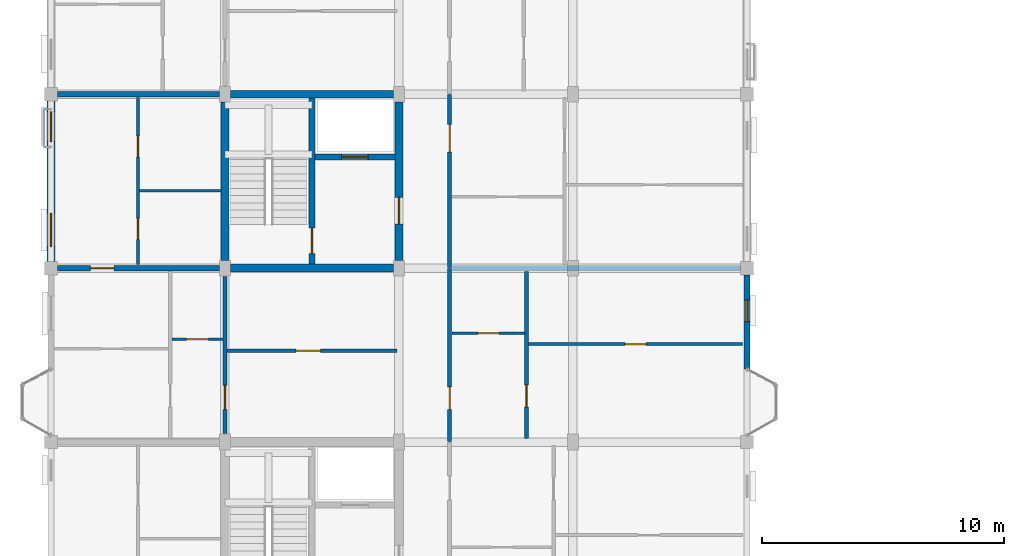
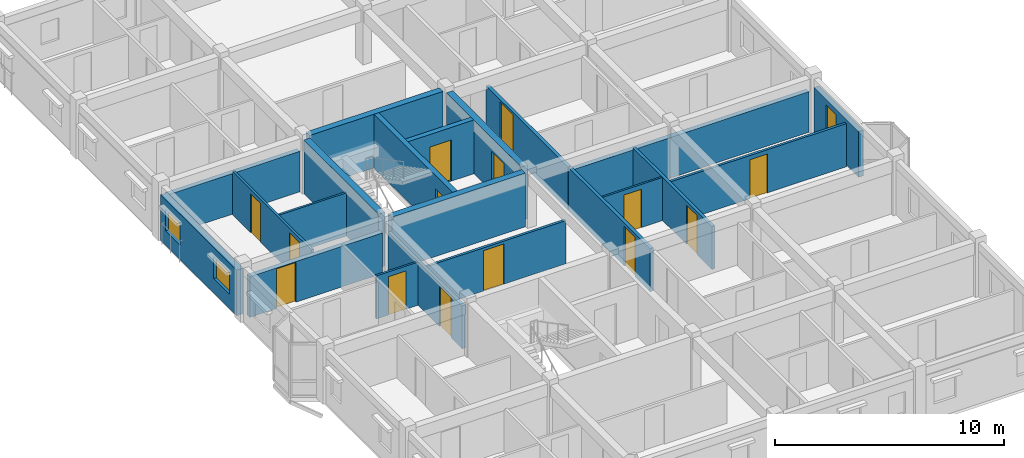
# One storey, part 52 of 79: 21 walls, 14 doors, 3 windows, 17 openings.
"""IFC4 building model written with IfcOpenShell, lengths in metres."""

from ifc_helpers import new_model, si_unit, direction, frame, frame_2d, origin, place, context, subcontext, project, spatial, rectangle, extrude, material, layer, layer_set, type_object, element, fill, save


model = new_model("IFC4")

# Units and contexts
model_context = context("Model", 3, precision=1e-05, world=origin(), true_north=direction((0.0, 1.0)))
body_context = subcontext(model_context, "Body", "Model", "MODEL_VIEW")
ifc_project = project(units=[si_unit("LENGTHUNIT", "METRE"), si_unit("AREAUNIT", "SQUARE_METRE"), si_unit("VOLUMEUNIT", "CUBIC_METRE"), si_unit("PLANEANGLEUNIT", "RADIAN"), si_unit("MASSUNIT", "GRAM", prefix="KILO"), si_unit("THERMODYNAMICTEMPERATUREUNIT", "KELVIN"), si_unit("POWERUNIT", "WATT")], contexts=[model_context])

# Site, building, storey
site_placement = place(None, origin())
site = spatial("IfcSite", under=ifc_project, at=site_placement, CompositionType="ELEMENT")
building_placement = place(site_placement, origin())
building = spatial("IfcBuilding", under=site, at=building_placement, Name="Tavuni Mirador Residences", CompositionType="ELEMENT")
storey_placement = place(building_placement, frame((0.0, 0.0, 13.949951171875)))
storey = spatial("IfcBuildingStorey", under=building, at=storey_placement, Name="L04", CompositionType="ELEMENT", Elevation=13.949951171875)

# Wall, opening, door
ifc_material_1 = material(Name="Precast concrete C40/50", Category="concrete")
ifc_layer_1 = layer(ifc_material_1, 0.25, Name="Precast concrete C40/50", Category="concrete")
ifc_layer_set_1 = layer_set([ifc_layer_1], Name="Precast concrete C40/50")
wall_type_1 = type_object("IfcWallType", Name="WT-COR250", PredefinedType="SHEAR", material=ifc_layer_set_1)
wall_1_placement = place(storey_placement, frame((14.39990234375, 28.9599609375, 0.0), z_axis=(0.0, 0.0, 1.0), x_axis=(0.0, 1.0, 0.0)))
wall_1 = element("IfcWall", 1, at=wall_1_placement, inside=storey, type_object=wall_type_1, Name="CWALL-C2-L04-MID", PredefinedType="SHEAR", context=body_context, shape_type="SweptSolid", body=[
    extrude(rectangle(XDim=6.880126953125, YDim=0.25, at=frame_2d((3.43994140625, 0.0))), origin(), (0.0, 0.0, 1.0), 2.8701171875),
])
opening_1_placement = place(wall_1_placement, frame((0.43994140625, 0.0, 0.0)))
opening_1 = element("IfcOpeningElement", 2, at=opening_1_placement, cuts=wall_1, Name="Opening D-01", PredefinedType="OPENING", context=body_context, shape_type="SweptSolid", body=[
    extrude(rectangle(XDim=1.050048828125, YDim=2.14990234375, at=frame_2d((0.52490234375, 1.074951171875))), frame((0.0, 0.135009765625, 0.0), z_axis=(0.0, -1.0, 0.0), x_axis=(1.0, 0.0, 0.0)), (0.0, 0.0, 1.0), 0.27001953125),
])
ifc_material_2 = material(Name="Solid core iroko timber", Category="wood")
door_type_1 = type_object("IfcDoorType", Name="DT-ST1050", OperationType="NOTDEFINED", PredefinedType="DOOR", material=ifc_material_2)
door_1_placement = place(opening_1_placement, origin())
door_1 = element("IfcDoor", 3, at=door_1_placement, inside=storey, type_object=door_type_1, Name="DR-2072", OperationType="SINGLE_SWING_RIGHT", OverallHeight=2.14990234375, OverallWidth=1.050048828125, PredefinedType="DOOR", context=body_context, shape_type="SweptSolid", body=[
    extrude(rectangle(XDim=1.050048828125, YDim=2.14990234375, at=frame_2d((0.52490234375, 1.074951171875))), frame((0.0, 0.02490234375, 0.0), z_axis=(0.0, -1.0, 0.0), x_axis=(1.0, 0.0, 0.0)), (0.0, 0.0, 1.0), 0.050048828125),
])
fill(opening_1, door_1)

wall_2_placement = place(storey_placement, frame((14.52490234375, 33.39990234375, 0.0), z_axis=(0.0, 0.0, 1.0), x_axis=(1.0, 0.0, 0.0)))
wall_2 = element("IfcWall", 4, at=wall_2_placement, inside=storey, type_object=wall_type_1, Name="CWALL-C2-L04-SHF", PredefinedType="SHEAR", context=body_context, shape_type="SweptSolid", body=[
    extrude(rectangle(XDim=3.315185546875, YDim=0.25, at=frame_2d((1.65771484375, 0.0))), origin(), (0.0, 0.0, 1.0), 2.8701171875),
])
opening_2_placement = place(wall_2_placement, frame((1.10009765625, 0.0, 0.0)))
opening_2 = element("IfcOpeningElement", 5, at=opening_2_placement, cuts=wall_2, Name="Opening LD-01", PredefinedType="OPENING", context=body_context, shape_type="SweptSolid", body=[
    extrude(rectangle(XDim=1.10009765625, YDim=2.199951171875, at=frame_2d((0.550048828125, 1.10009765625))), frame((0.0, 0.135009765625, 0.0), z_axis=(0.0, -1.0, 0.0), x_axis=(1.0, 0.0, 0.0)), (0.0, 0.0, 1.0), 0.27001953125),
])
ifc_material_3 = material(Name="Structural steel S355", Category="steel")
door_type_2 = type_object("IfcDoorType", Name="DT-LD-FF", OperationType="SLIDING_TO_LEFT", PredefinedType="DOOR", material=ifc_material_3)
door_2_placement = place(opening_2_placement, origin())
door_2 = element("IfcDoor", 6, at=door_2_placement, inside=storey, type_object=door_type_2, Name="Lift landing door FL-A2 L04", OperationType="SLIDING_TO_LEFT", OverallHeight=2.199951171875, OverallWidth=1.10009765625, PredefinedType="DOOR", context=body_context, shape_type="SweptSolid", body=[
    extrude(rectangle(XDim=1.10009765625, YDim=2.199951171875, at=frame_2d((0.550048828125, 1.10009765625))), frame((0.0, 0.02490234375, 0.0), z_axis=(0.0, -1.0, 0.0), x_axis=(1.0, 0.0, 0.0)), (0.0, 0.0, 1.0), 0.050048828125),
])
fill(opening_2, door_2)

# Walls
ifc_layer_2 = layer(ifc_material_1, 0.320068359375, Name="Precast concrete C40/50", Category="concrete")
ifc_layer_set_2 = layer_set([ifc_layer_2], Name="Precast concrete C40/50")
wall_type_2 = type_object("IfcWallType", Name="WT-COR320", PredefinedType="SHEAR", material=ifc_layer_set_2)
wall_3_placement = place(storey_placement, frame((10.800048828125, 29.125, 0.0), z_axis=(0.0, 0.0, 1.0), x_axis=(0.0, 1.0, 0.0)))
element("IfcWall", 7, at=wall_3_placement, inside=storey, type_object=wall_type_2, Name="CWALL-C2-L04-W", PredefinedType="SHEAR", context=body_context, shape_type="SweptSolid", body=[
    extrude(rectangle(XDim=6.550048828125, YDim=0.320068359375, at=frame_2d((3.27490234375, 0.0))), origin(), (0.0, 0.0, 1.0), 2.8701171875),
])
wall_4_placement = place(storey_placement, frame((11.02490234375, 36.0, 0.0), z_axis=(0.0, 0.0, 1.0), x_axis=(1.0, 0.0, 0.0)))
element("IfcWall", 8, at=wall_4_placement, inside=storey, type_object=wall_type_2, Name="CWALL-C2-L04-N", PredefinedType="SHEAR", context=body_context, shape_type="SweptSolid", body=[
    extrude(rectangle(XDim=6.75, YDim=0.320068359375, at=frame_2d((3.375, 0.0))), origin(), (0.0, 0.0, 1.0), 2.8701171875),
])

# Wall, opening, door
wall_5_placement = place(storey_placement, frame((18.0, 29.125, 0.0), z_axis=(0.0, 0.0, 1.0), x_axis=(0.0, 1.0, 0.0)))
wall_5 = element("IfcWall", 9, at=wall_5_placement, inside=storey, type_object=wall_type_2, Name="CWALL-C2-L04-E", PredefinedType="SHEAR", context=body_context, shape_type="SweptSolid", body=[
    extrude(rectangle(XDim=6.550048828125, YDim=0.320068359375, at=frame_2d((3.27490234375, 0.0))), origin(), (0.0, 0.0, 1.0), 2.8701171875),
])
opening_3_placement = place(wall_5_placement, frame((1.5, 0.0, 0.0)))
opening_3 = element("IfcOpeningElement", 10, at=opening_3_placement, cuts=wall_5, Name="Opening D-02", PredefinedType="OPENING", context=body_context, shape_type="SweptSolid", body=[
    extrude(rectangle(XDim=1.10009765625, YDim=2.14990234375, at=frame_2d((0.550048828125, 1.074951171875))), frame((0.0, 0.169921875, 0.0), z_axis=(0.0, -1.0, 0.0), x_axis=(1.0, 0.0, 0.0)), (0.0, 0.0, 1.0), 0.340087890625),
])
door_type_3 = type_object("IfcDoorType", Name="DT-LOB1100", OperationType="NOTDEFINED", PredefinedType="DOOR", material=ifc_material_2)
door_3_placement = place(opening_3_placement, frame((1.10009765625, 0.0, 0.0), z_axis=(0.0, 0.0, 1.0), x_axis=(-1.0, 0.0, 0.0)))
door_3 = element("IfcDoor", 11, at=door_3_placement, inside=storey, type_object=door_type_3, Name="DR-2071", OperationType="SINGLE_SWING_RIGHT", OverallHeight=2.14990234375, OverallWidth=1.10009765625, PredefinedType="DOOR", context=body_context, shape_type="SweptSolid", body=[
    extrude(rectangle(XDim=1.10009765625, YDim=2.14990234375, at=frame_2d((0.550048828125, 1.074951171875))), frame((0.0, 0.02490234375, 0.0), z_axis=(0.0, -1.0, 0.0), x_axis=(1.0, 0.0, 0.0)), (0.0, 0.0, 1.0), 0.050048828125),
])
fill(opening_3, door_3)

# Wall
wall_6_placement = place(storey_placement, frame((11.02490234375, 28.800048828125, 0.0), z_axis=(0.0, 0.0, 1.0), x_axis=(1.0, 0.0, 0.0)))
element("IfcWall", 12, at=wall_6_placement, inside=storey, type_object=wall_type_2, Name="CWALL-C2-L04-SS", PredefinedType="SHEAR", context=body_context, shape_type="SweptSolid", body=[
    extrude(rectangle(XDim=6.75, YDim=0.320068359375, at=frame_2d((3.375, 0.0))), origin(), (0.0, 0.0, 1.0), 2.8701171875),
])

# Wall, opening, door
ifc_layer_3 = layer(ifc_material_1, 0.1650390625, Name="Precast concrete C40/50", Category="concrete")
ifc_layer_set_3 = layer_set([ifc_layer_3], Name="Precast concrete C40/50")
wall_type_3 = type_object("IfcWallType", Name="WT-CORR165", PredefinedType="PARTITIONING", material=ifc_layer_set_3)
wall_7_placement = place(storey_placement, frame((20.10009765625, 21.6201171875, 0.0), z_axis=(0.0, 0.0, 1.0), x_axis=(0.0, 1.0, 0.0)))
wall_7 = element("IfcWall", 13, at=wall_7_placement, inside=storey, type_object=wall_type_3, Name="CORW-BLK-A-L04-0-02", PredefinedType="PARTITIONING", context=body_context, shape_type="SweptSolid", body=[
    extrude(rectangle(XDim=7.159912109375, YDim=0.1650390625, at=frame_2d((3.580078125, 0.0))), origin(), (0.0, 0.0, 1.0), 2.304931640625),
])
opening_4_placement = place(wall_7_placement, frame((1.330078125, 0.0, 0.0)))
opening_4 = element("IfcOpeningElement", 14, at=opening_4_placement, cuts=wall_7, Name="Opening D-19", PredefinedType="OPENING", context=body_context, shape_type="SweptSolid", body=[
    extrude(rectangle(XDim=0.93994140625, YDim=2.1201171875, at=frame_2d((0.469970703125, 1.06005859375))), frame((0.0, 0.092529296875, 0.0), z_axis=(0.0, -1.0, 0.0), x_axis=(1.0, 0.0, 0.0)), (0.0, 0.0, 1.0), 0.18505859375),
])
door_type_4 = type_object("IfcDoorType", Name="DT-FD60-940", OperationType="NOTDEFINED", PredefinedType="DOOR", material=ifc_material_2)
door_4_placement = place(opening_4_placement, origin())
door_4 = element("IfcDoor", 15, at=door_4_placement, inside=storey, type_object=door_type_4, Name="DR-2425", OperationType="SINGLE_SWING_RIGHT", OverallHeight=2.1201171875, OverallWidth=0.93994140625, PredefinedType="DOOR", context=body_context, shape_type="SweptSolid", body=[
    extrude(rectangle(XDim=0.93994140625, YDim=2.1201171875, at=frame_2d((0.469970703125, 1.06005859375))), frame((0.0, 0.02490234375, 0.0), z_axis=(0.0, -1.0, 0.0), x_axis=(1.0, 0.0, 0.0)), (0.0, 0.0, 1.0), 0.050048828125),
])
fill(opening_4, door_4)

wall_8_placement = place(storey_placement, frame((20.10009765625, 28.820068359375, 0.0), z_axis=(0.0, 0.0, 1.0), x_axis=(0.0, 1.0, 0.0)))
wall_8 = element("IfcWall", 16, at=wall_8_placement, inside=storey, type_object=wall_type_3, Name="CORW-BLK-A-L04-0-03", PredefinedType="PARTITIONING", context=body_context, shape_type="SweptSolid", body=[
    extrude(rectangle(XDim=7.159912109375, YDim=0.1650390625, at=frame_2d((3.580078125, 0.0))), origin(), (0.0, 0.0, 1.0), 2.304931640625),
])
opening_5_placement = place(wall_8_placement, frame((4.780029296875, 0.0, 0.0)))
opening_5 = element("IfcOpeningElement", 17, at=opening_5_placement, cuts=wall_8, Name="Opening D-20", PredefinedType="OPENING", context=body_context, shape_type="SweptSolid", body=[
    extrude(rectangle(XDim=1.139892578125, YDim=2.179931640625, at=frame_2d((0.56982421875, 1.08984375))), frame((0.0, 0.092529296875, 0.0), z_axis=(0.0, -1.0, 0.0), x_axis=(1.0, 0.0, 0.0)), (0.0, 0.0, 1.0), 0.18505859375),
])
door_type_5 = type_object("IfcDoorType", Name="DT-FD60-1140", OperationType="NOTDEFINED", PredefinedType="DOOR", material=ifc_material_2)
door_5_placement = place(opening_5_placement, origin())
door_5 = element("IfcDoor", 18, at=door_5_placement, inside=storey, type_object=door_type_5, Name="DR-2426", OperationType="SINGLE_SWING_LEFT", OverallHeight=2.179931640625, OverallWidth=1.139892578125, PredefinedType="DOOR", context=body_context, shape_type="SweptSolid", body=[
    extrude(rectangle(XDim=1.139892578125, YDim=2.179931640625, at=frame_2d((0.56982421875, 1.08984375))), frame((0.0, 0.02490234375, 0.0), z_axis=(0.0, -1.0, 0.0), x_axis=(1.0, 0.0, 0.0)), (0.0, 0.0, 1.0), 0.050048828125),
])
fill(opening_5, door_5)

wall_9_placement = place(storey_placement, frame((10.800048828125, 21.949951171875, 0.0), z_axis=(0.0, 0.0, 1.0), x_axis=(0.0, 1.0, 0.0)))
wall_9 = element("IfcWall", 19, at=wall_9_placement, inside=storey, type_object=wall_type_3, Name="CORW-BLK-A-L04-1-02", PredefinedType="PARTITIONING", context=body_context, shape_type="SweptSolid", body=[
    extrude(rectangle(XDim=6.5, YDim=0.1650390625, at=frame_2d((3.25, 0.0))), origin(), (0.0, 0.0, 1.0), 2.304931640625),
])
opening_6_placement = place(wall_9_placement, frame((1.0, 0.0, 0.0)))
opening_6 = element("IfcOpeningElement", 20, at=opening_6_placement, cuts=wall_9, Name="Opening D-03", PredefinedType="OPENING", context=body_context, shape_type="SweptSolid", body=[
    extrude(rectangle(XDim=1.0, YDim=2.14990234375, at=frame_2d((0.5, 1.074951171875))), frame((0.0, 0.092529296875, 0.0), z_axis=(0.0, -1.0, 0.0), x_axis=(1.0, 0.0, 0.0)), (0.0, 0.0, 1.0), 0.18505859375),
])
door_type_6 = type_object("IfcDoorType", Name="DT-FD60-1000", OperationType="NOTDEFINED", PredefinedType="DOOR", material=ifc_material_2)
door_6_placement = place(opening_6_placement, origin())
door_6 = element("IfcDoor", 21, at=door_6_placement, inside=storey, type_object=door_type_6, Name="DR-2430", OperationType="SINGLE_SWING_LEFT", OverallHeight=2.14990234375, OverallWidth=1.0, PredefinedType="DOOR", context=body_context, shape_type="SweptSolid", body=[
    extrude(rectangle(XDim=1.0, YDim=2.14990234375, at=frame_2d((0.5, 1.074951171875))), frame((0.0, 0.02490234375, 0.0), z_axis=(0.0, -1.0, 0.0), x_axis=(1.0, 0.0, 0.0)), (0.0, 0.0, 1.0), 0.050048828125),
])
fill(opening_6, door_6)

# Wall, openings, windows
ifc_layer_4 = layer(ifc_material_1, 0.330078125, Name="Precast concrete C40/50", Category="concrete")
ifc_layer_set_4 = layer_set([ifc_layer_4], Name="Precast concrete C40/50")
wall_type_4 = type_object("IfcWallType", Name="WT-EXT-COR330", PredefinedType="SOLIDWALL", material=ifc_layer_set_4)
wall_10_placement = place(storey_placement, frame((3.60009765625, 35.72509765625, 0.0), z_axis=(0.0, 0.0, 1.0), x_axis=(0.0, -1.0, 0.0)))
wall_10 = element("IfcWall", 22, at=wall_10_placement, inside=storey, type_object=wall_type_4, Name="EW-BLK-A-L04-W03", PredefinedType="SOLIDWALL", context=body_context, shape_type="SweptSolid", body=[
    extrude(rectangle(XDim=6.650146484375, YDim=0.330078125, at=frame_2d((3.3251953125, 0.0))), origin(), (0.0, 0.0, 1.0), 2.43994140625),
])
opening_7_placement = place(wall_10_placement, frame((0.449951171875, 0.0, 0.780029296875)))
opening_7 = element("IfcOpeningElement", 23, at=opening_7_placement, cuts=wall_10, Name="Opening WN-06", PredefinedType="OPENING", context=body_context, shape_type="SweptSolid", body=[
    extrude(rectangle(XDim=1.239990234375, YDim=1.14990234375, at=frame_2d((0.6201171875, 0.574951171875))), frame((0.0, 0.175048828125, 0.0), z_axis=(0.0, -1.0, 0.0), x_axis=(1.0, 0.0, 0.0)), (0.0, 0.0, 1.0), 0.35009765625),
])
opening_8_placement = place(wall_10_placement, frame((4.64990234375, 0.0, 0.780029296875)))
opening_8 = element("IfcOpeningElement", 24, at=opening_8_placement, cuts=wall_10, Name="Opening WN-08", PredefinedType="OPENING", context=body_context, shape_type="SweptSolid", body=[
    extrude(rectangle(XDim=1.39990234375, YDim=1.14990234375, at=frame_2d((0.699951171875, 0.574951171875))), frame((0.0, 0.175048828125, 0.0), z_axis=(0.0, -1.0, 0.0), x_axis=(1.0, 0.0, 0.0)), (0.0, 0.0, 1.0), 0.35009765625),
])
ifc_material_4 = material(Name="Laminated solar-control glass", Category="glass")
window_type_1 = type_object("IfcWindowType", Name="WNT-06", PartitioningType="SINGLE_PANEL", PredefinedType="WINDOW", material=ifc_material_4)
window_1_placement = place(opening_7_placement, origin())
window_1 = element("IfcWindow", 25, at=window_1_placement, inside=storey, type_object=window_type_1, Name="WIN-0181", OverallHeight=1.14990234375, OverallWidth=1.239990234375, PartitioningType="SINGLE_PANEL", PredefinedType="WINDOW", context=body_context, shape_type="SweptSolid", body=[
    extrude(rectangle(XDim=1.239990234375, YDim=1.14990234375, at=frame_2d((0.6201171875, 0.574951171875))), frame((0.0, 0.030029296875, 0.0), z_axis=(0.0, -1.0, 0.0), x_axis=(1.0, 0.0, 0.0)), (0.0, 0.0, 1.0), 0.06005859375),
])
fill(opening_7, window_1)
window_type_2 = type_object("IfcWindowType", Name="WNT-08", PartitioningType="SINGLE_PANEL", PredefinedType="WINDOW", material=ifc_material_4)
window_2_placement = place(opening_8_placement, origin())
window_2 = element("IfcWindow", 26, at=window_2_placement, inside=storey, type_object=window_type_2, Name="WIN-0182", OverallHeight=1.14990234375, OverallWidth=1.39990234375, PartitioningType="SINGLE_PANEL", PredefinedType="WINDOW", context=body_context, shape_type="SweptSolid", body=[
    extrude(rectangle(XDim=1.39990234375, YDim=1.14990234375, at=frame_2d((0.699951171875, 0.574951171875))), frame((0.0, 0.030029296875, 0.0), z_axis=(0.0, -1.0, 0.0), x_axis=(1.0, 0.0, 0.0)), (0.0, 0.0, 1.0), 0.06005859375),
])
fill(opening_8, window_2)

# Wall, opening, window
ifc_material_5 = material(Name="Sgraffito lime-rendered precast concrete C40/50", Category="concrete")
ifc_layer_5 = layer(ifc_material_5, 0.2451171875, Name="Sgraffito lime-rendered precast concrete C40/50", Category="concrete")
ifc_layer_set_5 = layer_set([ifc_layer_5], Name="Sgraffito lime-rendered precast concrete C40/50")
wall_type_5 = type_object("IfcWallType", Name="WT-EXT-PC245", PredefinedType="SOLIDWALL", material=ifc_layer_set_5)
wall_11_placement = place(storey_placement, frame((32.39990234375, 24.6201171875, 0.0), z_axis=(0.0, 0.0, 1.0), x_axis=(0.0, 1.0, 0.0)))
wall_11 = element("IfcWall", 27, at=wall_11_placement, inside=storey, type_object=wall_type_5, Name="EW-BLK-A-L04-E02", PredefinedType="SOLIDWALL", context=body_context, shape_type="SweptSolid", body=[
    extrude(rectangle(XDim=3.90478515625, YDim=0.2451171875, at=frame_2d((1.952392578125, 0.0))), origin(), (0.0, 0.0, 1.0), 2.43994140625),
])
opening_9_placement = place(wall_11_placement, frame((1.96240234375, 0.0, 0.780029296875)))
opening_9 = element("IfcOpeningElement", 28, at=opening_9_placement, cuts=wall_11, Name="Opening WN-17", PredefinedType="OPENING", context=body_context, shape_type="SweptSolid", body=[
    extrude(rectangle(XDim=0.89990234375, YDim=1.360107421875, at=frame_2d((0.449951171875, 0.68017578125))), frame((0.0, 0.132568359375, 0.0), z_axis=(0.0, -1.0, 0.0), x_axis=(1.0, 0.0, 0.0)), (0.0, 0.0, 1.0), 0.26513671875),
])
window_type_3 = type_object("IfcWindowType", Name="WNT-17", PartitioningType="SINGLE_PANEL", PredefinedType="WINDOW", material=ifc_material_4)
window_3_placement = place(opening_9_placement, origin())
window_3 = element("IfcWindow", 29, at=window_3_placement, inside=storey, type_object=window_type_3, Name="WIN-0162", OverallHeight=1.360107421875, OverallWidth=0.89990234375, PartitioningType="SINGLE_PANEL", PredefinedType="WINDOW", context=body_context, shape_type="SweptSolid", body=[
    extrude(rectangle(XDim=0.89990234375, YDim=1.360107421875, at=frame_2d((0.449951171875, 0.68017578125))), frame((0.0, 0.030029296875, 0.0), z_axis=(0.0, -1.0, 0.0), x_axis=(1.0, 0.0, 0.0)), (0.0, 0.0, 1.0), 0.06005859375),
])
fill(opening_9, window_3)

# Wall, opening, door
ifc_material_6 = material(Name="Acoustic gypsum and concrete block partition", Category="concrete")
ifc_layer_6 = layer(ifc_material_6, 0.094970703125, Name="Acoustic gypsum and concrete block partition", Category="concrete")
ifc_layer_set_6 = layer_set([ifc_layer_6], Name="Acoustic gypsum and concrete block partition")
wall_type_6 = type_object("IfcWallType", Name="WT-PART095", PredefinedType="PARTITIONING", material=ifc_layer_set_6)
wall_12_placement = place(storey_placement, frame((20.18994140625, 26.10009765625, 0.0), z_axis=(0.0, 0.0, 1.0), x_axis=(1.0, 0.0, 0.0)))
wall_12 = element("IfcWall", 30, at=wall_12_placement, inside=storey, type_object=wall_type_6, Name="PW-BLK-A-L04-E02-IN1", PredefinedType="PARTITIONING", context=body_context, shape_type="SweptSolid", body=[
    extrude(rectangle(XDim=3.02001953125, YDim=0.094970703125, at=frame_2d((1.510009765625, 0.0))), origin(), (0.0, 0.0, 1.0), 2.304931640625),
])
opening_10_placement = place(wall_12_placement, frame((1.074951171875, 0.0, 0.0)))
opening_10 = element("IfcOpeningElement", 31, at=opening_10_placement, cuts=wall_12, Name="Opening D-10", PredefinedType="OPENING", context=body_context, shape_type="SweptSolid", body=[
    extrude(rectangle(XDim=0.8701171875, YDim=2.050048828125, at=frame_2d((0.43505859375, 1.02490234375))), frame((0.0, 0.0576171875, 0.0), z_axis=(0.0, -1.0, 0.0), x_axis=(1.0, 0.0, 0.0)), (0.0, 0.0, 1.0), 0.114990234375),
])
door_type_7 = type_object("IfcDoorType", Name="DT-WC870", OperationType="NOTDEFINED", PredefinedType="DOOR", material=ifc_material_2)
door_7_placement = place(opening_10_placement, origin())
door_7 = element("IfcDoor", 32, at=door_7_placement, inside=storey, type_object=door_type_7, Name="DR-3079", OperationType="SINGLE_SWING_LEFT", OverallHeight=2.050048828125, OverallWidth=0.8701171875, PredefinedType="DOOR", context=body_context, shape_type="SweptSolid", body=[
    extrude(rectangle(XDim=0.8701171875, YDim=2.050048828125, at=frame_2d((0.43505859375, 1.02490234375))), frame((0.0, 0.02490234375, 0.0), z_axis=(0.0, -1.0, 0.0), x_axis=(1.0, 0.0, 0.0)), (0.0, 0.0, 1.0), 0.050048828125),
])
fill(opening_10, door_7)

ifc_layer_7 = layer(ifc_material_6, 0.10498046875, Name="Acoustic gypsum and concrete block partition", Category="concrete")
ifc_layer_set_7 = layer_set([ifc_layer_7], Name="Acoustic gypsum and concrete block partition")
wall_type_7 = type_object("IfcWallType", Name="WT-PART105", PredefinedType="PARTITIONING", material=ifc_layer_set_7)
wall_13_placement = place(storey_placement, frame((8.610107421875, 25.860107421875, 0.0), z_axis=(0.0, 0.0, 1.0), x_axis=(1.0, 0.0, 0.0)))
wall_13 = element("IfcWall", 33, at=wall_13_placement, inside=storey, type_object=wall_type_7, Name="PW-BLK-A-L04-W02-IN1", PredefinedType="PARTITIONING", context=body_context, shape_type="SweptSolid", body=[
    extrude(rectangle(XDim=2.099853515625, YDim=0.10498046875, at=frame_2d((1.0498046875, 0.0))), origin(), (0.0, 0.0, 1.0), 2.304931640625),
])
opening_11_placement = place(wall_13_placement, frame((0.60009765625, 0.0, 0.0)))
opening_11 = element("IfcOpeningElement", 34, at=opening_11_placement, cuts=wall_13, Name="Opening D-09", PredefinedType="OPENING", context=body_context, shape_type="SweptSolid", body=[
    extrude(rectangle(XDim=0.89990234375, YDim=2.050048828125, at=frame_2d((0.449951171875, 1.02490234375))), frame((0.0, 0.0625, 0.0), z_axis=(0.0, -1.0, 0.0), x_axis=(1.0, 0.0, 0.0)), (0.0, 0.0, 1.0), 0.125),
])
door_type_8 = type_object("IfcDoorType", Name="DT-WC900", OperationType="NOTDEFINED", PredefinedType="DOOR", material=ifc_material_2)
door_8_placement = place(opening_11_placement, origin())
door_8 = element("IfcDoor", 35, at=door_8_placement, inside=storey, type_object=door_type_8, Name="DR-3076", OperationType="SINGLE_SWING_RIGHT", OverallHeight=2.050048828125, OverallWidth=0.89990234375, PredefinedType="DOOR", context=body_context, shape_type="SweptSolid", body=[
    extrude(rectangle(XDim=0.89990234375, YDim=2.050048828125, at=frame_2d((0.449951171875, 1.02490234375))), frame((0.0, 0.02490234375, 0.0), z_axis=(0.0, -1.0, 0.0), x_axis=(1.0, 0.0, 0.0)), (0.0, 0.0, 1.0), 0.050048828125),
])
fill(opening_11, door_8)

# Wall
wall_14_placement = place(storey_placement, frame((7.27001953125, 32.0, 0.0), z_axis=(0.0, 0.0, 1.0), x_axis=(1.0, 0.0, 0.0)))
element("IfcWall", 36, at=wall_14_placement, inside=storey, type_object=wall_type_7, Name="PW-BLK-A-L04-WC03-H", PredefinedType="PARTITIONING", context=body_context, shape_type="SweptSolid", body=[
    extrude(rectangle(XDim=3.389892578125, YDim=0.10498046875, at=frame_2d((1.69482421875, 0.0))), origin(), (0.0, 0.0, 1.0), 2.304931640625),
])

# Wall, openings, doors
ifc_layer_8 = layer(ifc_material_6, 0.114990234375, Name="Acoustic gypsum and concrete block partition", Category="concrete")
ifc_layer_set_8 = layer_set([ifc_layer_8], Name="Acoustic gypsum and concrete block partition")
wall_type_8 = type_object("IfcWallType", Name="WT-PART115", PredefinedType="PARTITIONING", material=ifc_layer_set_8)
wall_15_placement = place(storey_placement, frame((7.199951171875, 28.93994140625, 0.0), z_axis=(0.0, 0.0, 1.0), x_axis=(0.0, 1.0, 0.0)))
wall_15 = element("IfcWall", 37, at=wall_15_placement, inside=storey, type_object=wall_type_8, Name="PW-BLK-A-L04-WC03-M", PredefinedType="PARTITIONING", context=body_context, shape_type="SweptSolid", body=[
    extrude(rectangle(XDim=6.920166015625, YDim=0.114990234375, at=frame_2d((3.4599609375, 0.0))), origin(), (0.0, 0.0, 1.0), 2.304931640625),
])
opening_12_placement = place(wall_15_placement, frame((1.050048828125, 0.0, 0.0)))
opening_12 = element("IfcOpeningElement", 38, at=opening_12_placement, cuts=wall_15, Name="Opening D-10", PredefinedType="OPENING", context=body_context, shape_type="SweptSolid", body=[
    extrude(rectangle(XDim=0.8701171875, YDim=2.050048828125, at=frame_2d((0.43505859375, 1.02490234375))), frame((0.0, 0.0673828125, 0.0), z_axis=(0.0, -1.0, 0.0), x_axis=(1.0, 0.0, 0.0)), (0.0, 0.0, 1.0), 0.135009765625),
])
opening_13_placement = place(wall_15_placement, frame((4.449951171875, 0.0, 0.0)))
opening_13 = element("IfcOpeningElement", 39, at=opening_13_placement, cuts=wall_15, Name="Opening D-08", PredefinedType="OPENING", context=body_context, shape_type="SweptSolid", body=[
    extrude(rectangle(XDim=0.8798828125, YDim=2.080078125, at=frame_2d((0.43994140625, 1.0400390625))), frame((0.0, 0.0673828125, 0.0), z_axis=(0.0, -1.0, 0.0), x_axis=(1.0, 0.0, 0.0)), (0.0, 0.0, 1.0), 0.135009765625),
])
door_type_9 = type_object("IfcDoorType", Name="DT-BED880", OperationType="NOTDEFINED", PredefinedType="DOOR", material=ifc_material_2)
door_9_placement = place(opening_13_placement, origin())
door_9 = element("IfcDoor", 40, at=door_9_placement, inside=storey, type_object=door_type_9, Name="DR-3082", OperationType="SINGLE_SWING_LEFT", OverallHeight=2.080078125, OverallWidth=0.8798828125, PredefinedType="DOOR", context=body_context, shape_type="SweptSolid", body=[
    extrude(rectangle(XDim=0.8798828125, YDim=2.080078125, at=frame_2d((0.43994140625, 1.0400390625))), frame((0.0, 0.02490234375, 0.0), z_axis=(0.0, -1.0, 0.0), x_axis=(1.0, 0.0, 0.0)), (0.0, 0.0, 1.0), 0.050048828125),
])
fill(opening_13, door_9)
door_10_placement = place(opening_12_placement, origin())
door_10 = element("IfcDoor", 41, at=door_10_placement, inside=storey, type_object=door_type_7, Name="DR-3081", OperationType="SINGLE_SWING_RIGHT", OverallHeight=2.050048828125, OverallWidth=0.8701171875, PredefinedType="DOOR", context=body_context, shape_type="SweptSolid", body=[
    extrude(rectangle(XDim=0.8701171875, YDim=2.050048828125, at=frame_2d((0.43505859375, 1.02490234375))), frame((0.0, 0.02490234375, 0.0), z_axis=(0.0, -1.0, 0.0), x_axis=(1.0, 0.0, 0.0)), (0.0, 0.0, 1.0), 0.050048828125),
])
fill(opening_12, door_10)

# Wall, opening, door
ifc_layer_9 = layer(ifc_material_6, 0.125, Name="Acoustic gypsum and concrete block partition", Category="concrete")
ifc_layer_set_9 = layer_set([ifc_layer_9], Name="Acoustic gypsum and concrete block partition")
wall_type_9 = type_object("IfcWallType", Name="WT-PART125", PredefinedType="PARTITIONING", material=ifc_layer_set_9)
wall_16_placement = place(storey_placement, frame((10.889892578125, 25.3798828125, 0.0), z_axis=(0.0, 0.0, 1.0), x_axis=(1.0, 0.0, 0.0)))
wall_16 = element("IfcWall", 42, at=wall_16_placement, inside=storey, type_object=wall_type_9, Name="PW-SPN-BLK-A-L04-02", PredefinedType="PARTITIONING", context=body_context, shape_type="SweptSolid", body=[
    extrude(rectangle(XDim=7.02001953125, YDim=0.125, at=frame_2d((3.510009765625, 0.0))), origin(), (0.0, 0.0, 1.0), 2.304931640625),
])
opening_14_placement = place(wall_16_placement, frame((2.85009765625, 0.0, 0.0)))
opening_14 = element("IfcOpeningElement", 43, at=opening_14_placement, cuts=wall_16, Name="Opening D-13", PredefinedType="OPENING", context=body_context, shape_type="SweptSolid", body=[
    extrude(rectangle(XDim=1.02001953125, YDim=2.14990234375, at=frame_2d((0.510009765625, 1.074951171875))), frame((0.0, 0.072509765625, 0.0), z_axis=(0.0, -1.0, 0.0), x_axis=(1.0, 0.0, 0.0)), (0.0, 0.0, 1.0), 0.14501953125),
])
door_type_10 = type_object("IfcDoorType", Name="DT-MTG1020", OperationType="NOTDEFINED", PredefinedType="DOOR", material=ifc_material_2)
door_11_placement = place(opening_14_placement, origin())
door_11 = element("IfcDoor", 44, at=door_11_placement, inside=storey, type_object=door_type_10, Name="DR-3074", OperationType="SINGLE_SWING_LEFT", OverallHeight=2.14990234375, OverallWidth=1.02001953125, PredefinedType="DOOR", context=body_context, shape_type="SweptSolid", body=[
    extrude(rectangle(XDim=1.02001953125, YDim=2.14990234375, at=frame_2d((0.510009765625, 1.074951171875))), frame((0.0, 0.02490234375, 0.0), z_axis=(0.0, -1.0, 0.0), x_axis=(1.0, 0.0, 0.0)), (0.0, 0.0, 1.0), 0.050048828125),
])
fill(opening_14, door_11)

wall_17_placement = place(storey_placement, frame((23.35009765625, 25.64990234375, 0.0), z_axis=(0.0, 0.0, 1.0), x_axis=(1.0, 0.0, 0.0)))
wall_17 = element("IfcWall", 45, at=wall_17_placement, inside=storey, type_object=wall_type_9, Name="PW-BLK-A-L04-E02-OUT", PredefinedType="PARTITIONING", context=body_context, shape_type="SweptSolid", body=[
    extrude(rectangle(XDim=8.875, YDim=0.125, at=frame_2d((4.4375, 0.0))), origin(), (0.0, 0.0, 1.0), 2.304931640625),
])
opening_15_placement = place(wall_17_placement, frame((3.99755859375, 0.0, 0.0)))
opening_15 = element("IfcOpeningElement", 46, at=opening_15_placement, cuts=wall_17, Name="Opening D-08", PredefinedType="OPENING", context=body_context, shape_type="SweptSolid", body=[
    extrude(rectangle(XDim=0.8798828125, YDim=2.080078125, at=frame_2d((0.43994140625, 1.0400390625))), frame((0.0, 0.072509765625, 0.0), z_axis=(0.0, -1.0, 0.0), x_axis=(1.0, 0.0, 0.0)), (0.0, 0.0, 1.0), 0.14501953125),
])
door_12_placement = place(opening_15_placement, origin())
door_12 = element("IfcDoor", 47, at=door_12_placement, inside=storey, type_object=door_type_9, Name="DR-3078", OperationType="SINGLE_SWING_RIGHT", OverallHeight=2.080078125, OverallWidth=0.8798828125, PredefinedType="DOOR", context=body_context, shape_type="SweptSolid", body=[
    extrude(rectangle(XDim=0.8798828125, YDim=2.080078125, at=frame_2d((0.43994140625, 1.0400390625))), frame((0.0, 0.02490234375, 0.0), z_axis=(0.0, -1.0, 0.0), x_axis=(1.0, 0.0, 0.0)), (0.0, 0.0, 1.0), 0.050048828125),
])
fill(opening_15, door_12)

ifc_layer_10 = layer(ifc_material_6, 0.14990234375, Name="Acoustic gypsum and concrete block partition", Category="concrete")
ifc_layer_set_10 = layer_set([ifc_layer_10], Name="Acoustic gypsum and concrete block partition")
wall_type_10 = type_object("IfcWallType", Name="WT-PART150", PredefinedType="PARTITIONING", material=ifc_layer_set_10)
wall_18_placement = place(storey_placement, frame((23.280029296875, 21.739990234375, 0.0), z_axis=(0.0, 0.0, 1.0), x_axis=(0.0, 1.0, 0.0)))
wall_18 = element("IfcWall", 48, at=wall_18_placement, inside=storey, type_object=wall_type_10, Name="PW-BLK-A-L04-E02-MID", PredefinedType="PARTITIONING", context=body_context, shape_type="SweptSolid", body=[
    extrude(rectangle(XDim=6.919921875, YDim=0.14990234375, at=frame_2d((3.4599609375, 0.0))), origin(), (0.0, 0.0, 1.0), 2.304931640625),
])
opening_16_placement = place(wall_18_placement, frame((1.31005859375, 0.0, 0.0)))
opening_16 = element("IfcOpeningElement", 49, at=opening_16_placement, cuts=wall_18, Name="Opening D-06", PredefinedType="OPENING", context=body_context, shape_type="SweptSolid", body=[
    extrude(rectangle(XDim=0.919921875, YDim=2.10009765625, at=frame_2d((0.4599609375, 1.050048828125))), frame((0.0, 0.0849609375, 0.0), z_axis=(0.0, -1.0, 0.0), x_axis=(1.0, 0.0, 0.0)), (0.0, 0.0, 1.0), 0.169921875),
])
door_type_11 = type_object("IfcDoorType", Name="DT-INT920", OperationType="NOTDEFINED", PredefinedType="DOOR", material=ifc_material_2)
door_13_placement = place(opening_16_placement, origin())
door_13 = element("IfcDoor", 50, at=door_13_placement, inside=storey, type_object=door_type_11, Name="DR-3080", OperationType="SINGLE_SWING_RIGHT", OverallHeight=2.10009765625, OverallWidth=0.919921875, PredefinedType="DOOR", context=body_context, shape_type="SweptSolid", body=[
    extrude(rectangle(XDim=0.919921875, YDim=2.10009765625, at=frame_2d((0.4599609375, 1.050048828125))), frame((0.0, 0.02490234375, 0.0), z_axis=(0.0, -1.0, 0.0), x_axis=(1.0, 0.0, 0.0)), (0.0, 0.0, 1.0), 0.050048828125),
])
fill(opening_16, door_13)

ifc_layer_11 = layer(ifc_material_1, 0.235107421875, Name="Precast concrete C40/50", Category="concrete")
ifc_layer_set_11 = layer_set([ifc_layer_11], Name="Precast concrete C40/50")
wall_type_11 = type_object("IfcWallType", Name="WT-XW235", PredefinedType="SOLIDWALL", material=ifc_layer_set_11)
wall_19_placement = place(storey_placement, frame((3.875, 28.800048828125, 0.0), z_axis=(0.0, 0.0, 1.0), x_axis=(1.0, 0.0, 0.0)))
wall_19 = element("IfcWall", 51, at=wall_19_placement, inside=storey, type_object=wall_type_11, Name="XW-BLK-A-L04-W-03", PredefinedType="SOLIDWALL", context=body_context, shape_type="SweptSolid", body=[
    extrude(rectangle(XDim=6.699951171875, YDim=0.235107421875, at=frame_2d((3.35009765625, 0.0))), origin(), (0.0, 0.0, 1.0), 2.170166015625),
])
opening_17_placement = place(wall_19_placement, frame((1.35009765625, 0.0, 0.0)))
opening_17 = element("IfcOpeningElement", 52, at=opening_17_placement, cuts=wall_19, Name="Opening D-04", PredefinedType="OPENING", context=body_context, shape_type="SweptSolid", body=[
    extrude(rectangle(XDim=0.97998046875, YDim=2.1201171875, at=frame_2d((0.489990234375, 1.06005859375))), frame((0.0, 0.12744140625, 0.0), z_axis=(0.0, -1.0, 0.0), x_axis=(1.0, 0.0, 0.0)), (0.0, 0.0, 1.0), 0.255126953125),
])
door_type_12 = type_object("IfcDoorType", Name="DT-FD60-980", OperationType="NOTDEFINED", PredefinedType="DOOR", material=ifc_material_2)
door_14_placement = place(opening_17_placement, origin())
door_14 = element("IfcDoor", 53, at=door_14_placement, inside=storey, type_object=door_type_12, Name="DR-4683", OperationType="SINGLE_SWING_RIGHT", OverallHeight=2.1201171875, OverallWidth=0.97998046875, PredefinedType="DOOR", context=body_context, shape_type="SweptSolid", body=[
    extrude(rectangle(XDim=0.97998046875, YDim=2.1201171875, at=frame_2d((0.489990234375, 1.06005859375))), frame((0.0, 0.02490234375, 0.0), z_axis=(0.0, -1.0, 0.0), x_axis=(1.0, 0.0, 0.0)), (0.0, 0.0, 1.0), 0.050048828125),
])
fill(opening_17, door_14)

# Walls
wall_20_placement = place(storey_placement, frame((20.10009765625, 28.800048828125, 0.0), z_axis=(0.0, 0.0, 1.0), x_axis=(1.0, 0.0, 0.0)))
element("IfcWall", 54, at=wall_20_placement, inside=storey, type_object=wall_type_11, Name="XW-BLK-A-L04-E-03", PredefinedType="SOLIDWALL", context=body_context, shape_type="SweptSolid", body=[
    extrude(rectangle(XDim=12.02490234375, YDim=0.235107421875, at=frame_2d((6.012451171875, 0.0))), origin(), (0.0, 0.0, 1.0), 2.170166015625),
])
wall_21_placement = place(storey_placement, frame((3.875, 36.0, 0.0), z_axis=(0.0, 0.0, 1.0), x_axis=(1.0, 0.0, 0.0)))
element("IfcWall", 55, at=wall_21_placement, inside=storey, type_object=wall_type_11, Name="XW-BLK-A-L04-W-04", PredefinedType="SOLIDWALL", context=body_context, shape_type="SweptSolid", body=[
    extrude(rectangle(XDim=6.699951171875, YDim=0.235107421875, at=frame_2d((3.35009765625, 0.0))), origin(), (0.0, 0.0, 1.0), 2.170166015625),
])

save(model, "model.ifc")
